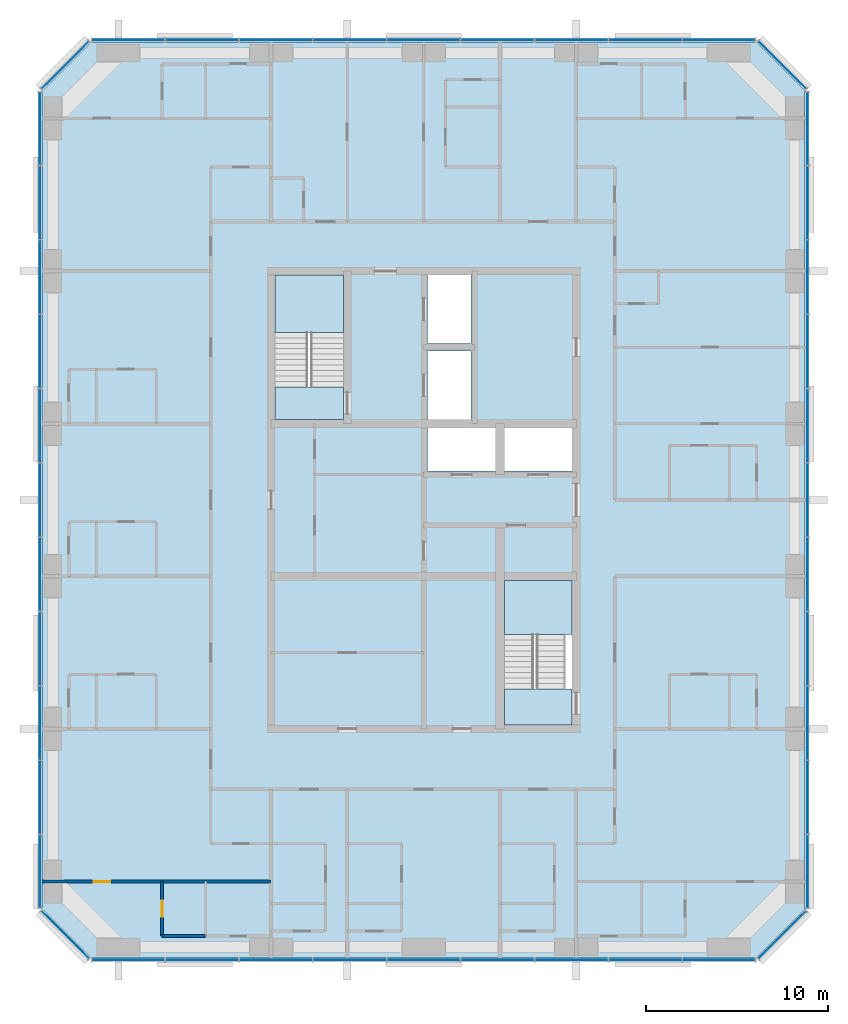
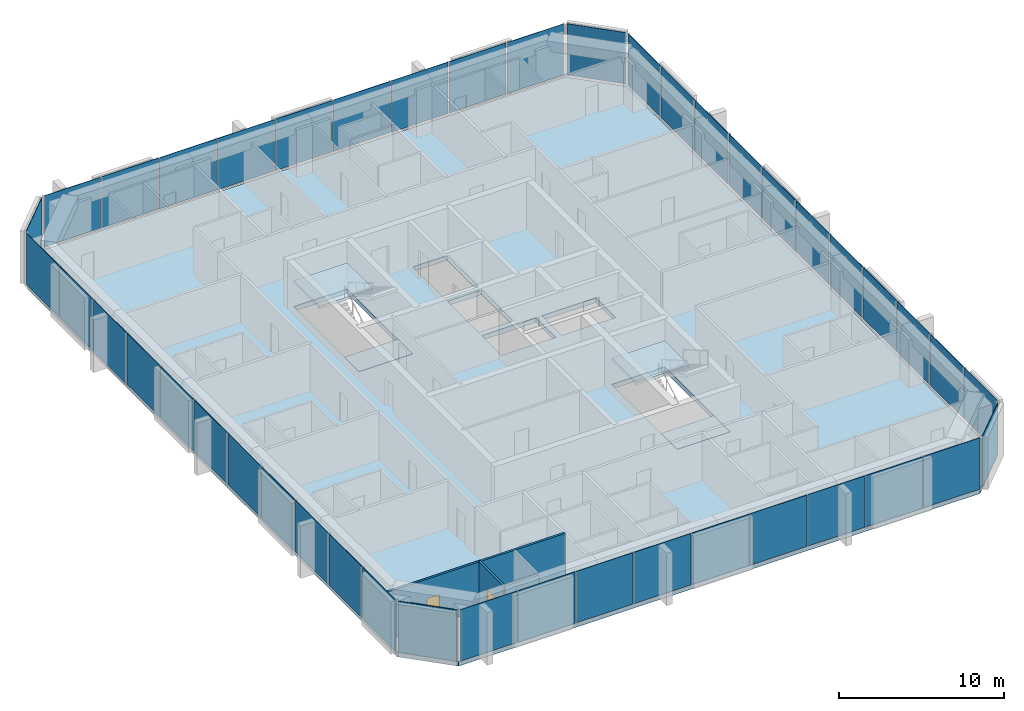
# One storey, part 6 of 12: 44 plates, 5 slabs, 3 walls, 2 doors, 2 openings, 10 elements without a shape of their own.
"""IFC4 building model written with IfcOpenShell, lengths in metres."""

from ifc_helpers import new_model, si_unit, direction, frame, frame_2d, origin, origin_2d, place, context, subcontext, project, spatial, polyline, rectangle, outline, extrude, material, layer, layer_set, type_object, element, fill, aggregate, save


model = new_model("IFC4")

# Units and contexts
model_context = context("Model", 3, precision=1e-05, world=origin(), true_north=direction((0.0, 1.0)))
body_context = subcontext(model_context, "Body", "Model", "MODEL_VIEW")
ifc_project = project(units=[si_unit("LENGTHUNIT", "METRE"), si_unit("AREAUNIT", "SQUARE_METRE"), si_unit("VOLUMEUNIT", "CUBIC_METRE"), si_unit("PLANEANGLEUNIT", "RADIAN"), si_unit("MASSUNIT", "GRAM", prefix="KILO")], contexts=[model_context])

# Site, building, storey
site_placement = place(None, origin())
site = spatial("IfcSite", under=ifc_project, at=site_placement, CompositionType="ELEMENT")
building_placement = place(site_placement, origin())
building = spatial("IfcBuilding", under=site, at=building_placement, Name="Dunama Terrace Hotel", CompositionType="ELEMENT")
storey_placement = place(building_placement, frame((0.0, 0.0, 241.199951171875)))
storey = spatial("IfcBuildingStorey", under=building, at=storey_placement, Name="L62", CompositionType="ELEMENT", Elevation=241.199951171875)

# Curtain wall, plates
ifc_material_1 = material(Name="Aluminium curtain wall system", Category="aluminium")
curtain_wall_type = type_object("IfcCurtainWallType", Name="Unitised fritted glass wall CW-D", PredefinedType="NOTDEFINED", material=ifc_material_1)
curtain_wall_1_placement = place(storey_placement, origin())
curtain_wall_1 = element("IfcCurtainWall", 1, at=curtain_wall_1_placement, inside=storey, type_object=curtain_wall_type, Name="Unitised fritted glass wall CW-D L62", PredefinedType="NOTDEFINED")
ifc_material_2 = material(Name="Laminated glass", Category="glass")
ifc_layer_1 = layer(ifc_material_2, 0.035888671875)
ifc_layer_set_1 = layer_set([ifc_layer_1], Name="CWD clear glass panel")
plate_type_1 = type_object("IfcPlateType", Name="CWD clear glass panel", PredefinedType="CURTAIN_PANEL", material=ifc_layer_set_1)
plate_1_placement = place(storey_placement, frame((25.467041015625, 4.080078125, 0.0849609375), z_axis=(0.0, 0.0, 1.0), x_axis=(1.0, 0.0, 0.0)))
plate_1 = element("IfcPlate", 2, at=plate_1_placement, type_object=plate_type_1, Name="CWD clear glass panel", PredefinedType="CURTAIN_PANEL", context=body_context, shape_type="SweptSolid", body=[
    extrude(rectangle(XDim=3.99658203125, YDim=0.035888671875, at=origin_2d()), origin(), (0.0, 0.0, 1.0), 3.81494140625),
])
plate_2_placement = place(storey_placement, frame((37.6669921875, 4.080078125, 0.0849609375), z_axis=(0.0, 0.0, 1.0), x_axis=(1.0, 0.0, 0.0)))
plate_2 = element("IfcPlate", 3, at=plate_2_placement, type_object=plate_type_1, Name="CWD clear glass panel", PredefinedType="CURTAIN_PANEL", context=body_context, shape_type="SweptSolid", body=[
    extrude(rectangle(XDim=3.99658203125, YDim=0.035888671875, at=origin_2d()), origin(), (0.0, 0.0, 1.0), 3.81494140625),
])
plate_3_placement = place(storey_placement, frame((49.84912109375, 4.080078125, 0.0849609375), z_axis=(0.0, 0.0, 1.0), x_axis=(1.0, 0.0, 0.0)))
plate_3 = element("IfcPlate", 4, at=plate_3_placement, type_object=plate_type_1, Name="CWD clear glass panel", PredefinedType="CURTAIN_PANEL", context=body_context, shape_type="SweptSolid", body=[
    extrude(rectangle(XDim=3.961669921875, YDim=0.035888671875, at=origin_2d()), origin(), (0.0, 0.0, 1.0), 3.81494140625),
])

curtain_wall_2_placement = place(storey_placement, origin())
curtain_wall_2 = element("IfcCurtainWall", 5, at=curtain_wall_2_placement, inside=storey, type_object=curtain_wall_type, Name="Unitised fritted glass wall CW-D L62", PredefinedType="NOTDEFINED")
plate_4_placement = place(storey_placement, frame((54.719970703125, 13.035888671875, 0.0849609375), z_axis=(0.0, 0.0, 1.0), x_axis=(0.0, 1.0, 0.0)))
plate_4 = element("IfcPlate", 6, at=plate_4_placement, type_object=plate_type_1, Name="CWD clear glass panel", PredefinedType="CURTAIN_PANEL", context=body_context, shape_type="SweptSolid", body=[
    extrude(rectangle(XDim=4.02099609375, YDim=0.035888671875, at=origin_2d()), origin(), (0.0, 0.0, 1.0), 3.81494140625),
])
plate_5_placement = place(storey_placement, frame((54.719970703125, 25.30908203125, 0.0849609375), z_axis=(0.0, 0.0, 1.0), x_axis=(0.0, 1.0, 0.0)))
plate_5 = element("IfcPlate", 7, at=plate_5_placement, type_object=plate_type_1, Name="CWD clear glass panel", PredefinedType="CURTAIN_PANEL", context=body_context, shape_type="SweptSolid", body=[
    extrude(rectangle(XDim=4.02099609375, YDim=0.035888671875, at=origin_2d()), origin(), (0.0, 0.0, 1.0), 3.81494140625),
])
plate_6_placement = place(storey_placement, frame((54.719970703125, 37.58203125, 0.0849609375), z_axis=(0.0, 0.0, 1.0), x_axis=(0.0, 1.0, 0.0)))
plate_6 = element("IfcPlate", 8, at=plate_6_placement, type_object=plate_type_1, Name="CWD clear glass panel", PredefinedType="CURTAIN_PANEL", context=body_context, shape_type="SweptSolid", body=[
    extrude(rectangle(XDim=4.02099609375, YDim=0.035888671875, at=origin_2d()), origin(), (0.0, 0.0, 1.0), 3.81494140625),
])
plate_7_placement = place(storey_placement, frame((54.719970703125, 49.8369140625, 0.0849609375), z_axis=(0.0, 0.0, 1.0), x_axis=(0.0, 1.0, 0.0)))
plate_7 = element("IfcPlate", 9, at=plate_7_placement, type_object=plate_type_1, Name="CWD clear glass panel", PredefinedType="CURTAIN_PANEL", context=body_context, shape_type="SweptSolid", body=[
    extrude(rectangle(XDim=3.98583984375, YDim=0.035888671875, at=origin_2d()), origin(), (0.0, 0.0, 1.0), 3.81494140625),
])

curtain_wall_3_placement = place(storey_placement, origin())
curtain_wall_3 = element("IfcCurtainWall", 10, at=curtain_wall_3_placement, inside=storey, type_object=curtain_wall_type, Name="Unitised fritted glass wall CW-D L62", PredefinedType="NOTDEFINED")
plate_8_placement = place(storey_placement, frame((45.800048828125, 54.719970703125, 0.0849609375), z_axis=(0.0, 0.0, 1.0), x_axis=(-1.0, 0.0, 0.0)))
plate_8 = element("IfcPlate", 11, at=plate_8_placement, type_object=plate_type_1, Name="CWD clear glass panel", PredefinedType="CURTAIN_PANEL", context=body_context, shape_type="SweptSolid", body=[
    extrude(rectangle(XDim=3.99658203125, YDim=0.035888671875, at=origin_2d()), origin(), (0.0, 0.0, 1.0), 3.81494140625),
])
plate_9_placement = place(storey_placement, frame((33.60009765625, 54.719970703125, 0.0849609375), z_axis=(0.0, 0.0, 1.0), x_axis=(-1.0, 0.0, 0.0)))
plate_9 = element("IfcPlate", 12, at=plate_9_placement, type_object=plate_type_1, Name="CWD clear glass panel", PredefinedType="CURTAIN_PANEL", context=body_context, shape_type="SweptSolid", body=[
    extrude(rectangle(XDim=3.99658203125, YDim=0.035888671875, at=origin_2d()), origin(), (0.0, 0.0, 1.0), 3.81494140625),
])
plate_10_placement = place(storey_placement, frame((21.39990234375, 54.719970703125, 0.0849609375), z_axis=(0.0, 0.0, 1.0), x_axis=(-1.0, 0.0, 0.0)))
plate_10 = element("IfcPlate", 13, at=plate_10_placement, type_object=plate_type_1, Name="CWD clear glass panel", PredefinedType="CURTAIN_PANEL", context=body_context, shape_type="SweptSolid", body=[
    extrude(rectangle(XDim=3.99658203125, YDim=0.035888671875, at=origin_2d()), origin(), (0.0, 0.0, 1.0), 3.81494140625),
])

curtain_wall_4_placement = place(storey_placement, origin())
curtain_wall_4 = element("IfcCurtainWall", 14, at=curtain_wall_4_placement, inside=storey, type_object=curtain_wall_type, Name="Unitised fritted glass wall CW-D L62", PredefinedType="NOTDEFINED")
plate_11_placement = place(storey_placement, frame((12.47998046875, 49.8369140625, 0.0849609375), z_axis=(0.0, 0.0, 1.0), x_axis=(0.0, -1.0, 0.0)))
plate_11 = element("IfcPlate", 15, at=plate_11_placement, type_object=plate_type_1, Name="CWD clear glass panel", PredefinedType="CURTAIN_PANEL", context=body_context, shape_type="SweptSolid", body=[
    extrude(rectangle(XDim=3.98583984375, YDim=0.035888671875, at=origin_2d()), origin(), (0.0, 0.0, 1.0), 3.81494140625),
])
plate_12_placement = place(storey_placement, frame((12.47998046875, 37.58203125, 0.0849609375), z_axis=(0.0, 0.0, 1.0), x_axis=(0.0, -1.0, 0.0)))
plate_12 = element("IfcPlate", 16, at=plate_12_placement, type_object=plate_type_1, Name="CWD clear glass panel", PredefinedType="CURTAIN_PANEL", context=body_context, shape_type="SweptSolid", body=[
    extrude(rectangle(XDim=4.02099609375, YDim=0.035888671875, at=origin_2d()), origin(), (0.0, 0.0, 1.0), 3.81494140625),
])
plate_13_placement = place(storey_placement, frame((12.47998046875, 25.30908203125, 0.0849609375), z_axis=(0.0, 0.0, 1.0), x_axis=(0.0, -1.0, 0.0)))
plate_13 = element("IfcPlate", 17, at=plate_13_placement, type_object=plate_type_1, Name="CWD clear glass panel", PredefinedType="CURTAIN_PANEL", context=body_context, shape_type="SweptSolid", body=[
    extrude(rectangle(XDim=4.02099609375, YDim=0.035888671875, at=origin_2d()), origin(), (0.0, 0.0, 1.0), 3.81494140625),
])
plate_14_placement = place(storey_placement, frame((12.47998046875, 13.035888671875, 0.0849609375), z_axis=(0.0, 0.0, 1.0), x_axis=(0.0, -1.0, 0.0)))
plate_14 = element("IfcPlate", 18, at=plate_14_placement, type_object=plate_type_1, Name="CWD clear glass panel", PredefinedType="CURTAIN_PANEL", context=body_context, shape_type="SweptSolid", body=[
    extrude(rectangle(XDim=4.02099609375, YDim=0.035888671875, at=origin_2d()), origin(), (0.0, 0.0, 1.0), 3.81494140625),
])

# Plate
ifc_material_3 = material(Name="Fritted laminated glass", Category="glass")
ifc_layer_2 = layer(ifc_material_3, 0.035888671875)
ifc_layer_set_2 = layer_set([ifc_layer_2], Name="CWD fritted glass panel")
plate_type_2 = type_object("IfcPlateType", Name="CWD fritted glass panel", PredefinedType="CURTAIN_PANEL", material=ifc_layer_set_2)
plate_15_placement = place(storey_placement, frame((21.39990234375, 4.080078125, 0.0849609375), z_axis=(0.0, 0.0, 1.0), x_axis=(1.0, 0.0, 0.0)))
plate_15 = element("IfcPlate", 19, at=plate_15_placement, type_object=plate_type_2, Name="CWD fritted glass panel", PredefinedType="CURTAIN_PANEL", context=body_context, shape_type="SweptSolid", body=[
    extrude(rectangle(XDim=3.99658203125, YDim=0.035888671875, at=origin_2d()), origin(), (0.0, 0.0, 1.0), 3.81494140625),
])

plate_16_placement = place(storey_placement, frame((33.60009765625, 4.080078125, 0.0849609375), z_axis=(0.0, 0.0, 1.0), x_axis=(1.0, 0.0, 0.0)))
plate_16 = element("IfcPlate", 20, at=plate_16_placement, type_object=plate_type_2, Name="CWD fritted glass panel", PredefinedType="CURTAIN_PANEL", context=body_context, shape_type="SweptSolid", body=[
    extrude(rectangle(XDim=3.99658203125, YDim=0.035888671875, at=origin_2d()), origin(), (0.0, 0.0, 1.0), 3.81494140625),
])

plate_17_placement = place(storey_placement, frame((45.800048828125, 4.080078125, 0.0849609375), z_axis=(0.0, 0.0, 1.0), x_axis=(1.0, 0.0, 0.0)))
plate_17 = element("IfcPlate", 21, at=plate_17_placement, type_object=plate_type_2, Name="CWD fritted glass panel", PredefinedType="CURTAIN_PANEL", context=body_context, shape_type="SweptSolid", body=[
    extrude(rectangle(XDim=3.99658203125, YDim=0.035888671875, at=origin_2d()), origin(), (0.0, 0.0, 1.0), 3.81494140625),
])

plate_18_placement = place(storey_placement, frame((54.719970703125, 8.962890625, 0.0849609375), z_axis=(0.0, 0.0, 1.0), x_axis=(0.0, 1.0, 0.0)))
plate_18 = element("IfcPlate", 22, at=plate_18_placement, type_object=plate_type_2, Name="CWD fritted glass panel", PredefinedType="CURTAIN_PANEL", context=body_context, shape_type="SweptSolid", body=[
    extrude(rectangle(XDim=3.98583984375, YDim=0.035888671875, at=origin_2d()), origin(), (0.0, 0.0, 1.0), 3.81494140625),
])

plate_19_placement = place(storey_placement, frame((54.719970703125, 21.218017578125, 0.0849609375), z_axis=(0.0, 0.0, 1.0), x_axis=(0.0, 1.0, 0.0)))
plate_19 = element("IfcPlate", 23, at=plate_19_placement, type_object=plate_type_2, Name="CWD fritted glass panel", PredefinedType="CURTAIN_PANEL", context=body_context, shape_type="SweptSolid", body=[
    extrude(rectangle(XDim=4.02099609375, YDim=0.035888671875, at=origin_2d()), origin(), (0.0, 0.0, 1.0), 3.81494140625),
])

plate_20_placement = place(storey_placement, frame((54.719970703125, 33.490966796875, 0.0849609375), z_axis=(0.0, 0.0, 1.0), x_axis=(0.0, 1.0, 0.0)))
plate_20 = element("IfcPlate", 24, at=plate_20_placement, type_object=plate_type_2, Name="CWD fritted glass panel", PredefinedType="CURTAIN_PANEL", context=body_context, shape_type="SweptSolid", body=[
    extrude(rectangle(XDim=4.02099609375, YDim=0.035888671875, at=origin_2d()), origin(), (0.0, 0.0, 1.0), 3.81494140625),
])

plate_21_placement = place(storey_placement, frame((54.719970703125, 45.763916015625, 0.0849609375), z_axis=(0.0, 0.0, 1.0), x_axis=(0.0, 1.0, 0.0)))
plate_21 = element("IfcPlate", 25, at=plate_21_placement, type_object=plate_type_2, Name="CWD fritted glass panel", PredefinedType="CURTAIN_PANEL", context=body_context, shape_type="SweptSolid", body=[
    extrude(rectangle(XDim=4.02099609375, YDim=0.035888671875, at=origin_2d()), origin(), (0.0, 0.0, 1.0), 3.81494140625),
])

plate_22_placement = place(storey_placement, frame((49.84912109375, 54.719970703125, 0.0849609375), z_axis=(0.0, 0.0, 1.0), x_axis=(-1.0, 0.0, 0.0)))
plate_22 = element("IfcPlate", 26, at=plate_22_placement, type_object=plate_type_2, Name="CWD fritted glass panel", PredefinedType="CURTAIN_PANEL", context=body_context, shape_type="SweptSolid", body=[
    extrude(rectangle(XDim=3.961669921875, YDim=0.035888671875, at=origin_2d()), origin(), (0.0, 0.0, 1.0), 3.81494140625),
])

plate_23_placement = place(storey_placement, frame((37.6669921875, 54.719970703125, 0.0849609375), z_axis=(0.0, 0.0, 1.0), x_axis=(-1.0, 0.0, 0.0)))
plate_23 = element("IfcPlate", 27, at=plate_23_placement, type_object=plate_type_2, Name="CWD fritted glass panel", PredefinedType="CURTAIN_PANEL", context=body_context, shape_type="SweptSolid", body=[
    extrude(rectangle(XDim=3.99658203125, YDim=0.035888671875, at=origin_2d()), origin(), (0.0, 0.0, 1.0), 3.81494140625),
])

plate_24_placement = place(storey_placement, frame((25.467041015625, 54.719970703125, 0.0849609375), z_axis=(0.0, 0.0, 1.0), x_axis=(-1.0, 0.0, 0.0)))
plate_24 = element("IfcPlate", 28, at=plate_24_placement, type_object=plate_type_2, Name="CWD fritted glass panel", PredefinedType="CURTAIN_PANEL", context=body_context, shape_type="SweptSolid", body=[
    extrude(rectangle(XDim=3.99658203125, YDim=0.035888671875, at=origin_2d()), origin(), (0.0, 0.0, 1.0), 3.81494140625),
])

# Curtain wall, plate
curtain_wall_5_placement = place(storey_placement, origin())
curtain_wall_5 = element("IfcCurtainWall", 29, at=curtain_wall_5_placement, inside=storey, type_object=curtain_wall_type, Name="Unitised fritted glass wall CW-D L62", PredefinedType="NOTDEFINED")
plate_25_placement = place(storey_placement, frame((13.864990234375, 53.3349609375, 0.0849609375), z_axis=(0.0, 0.0, 1.0), x_axis=(-0.707106781187, -0.707106781187, 0.0)))
plate_25 = element("IfcPlate", 30, at=plate_25_placement, type_object=plate_type_2, Name="CWD fritted glass panel", PredefinedType="CURTAIN_PANEL", context=body_context, shape_type="SweptSolid", body=[
    extrude(rectangle(XDim=3.678466796875, YDim=0.035888671875, at=origin_2d()), origin(), (0.0, 0.0, 1.0), 3.81494140625),
])
aggregate(curtain_wall_5, [plate_25])

# Plate
plate_26_placement = place(storey_placement, frame((12.47998046875, 41.673095703125, 0.0849609375), z_axis=(0.0, 0.0, 1.0), x_axis=(0.0, -1.0, 0.0)))
plate_26 = element("IfcPlate", 31, at=plate_26_placement, type_object=plate_type_2, Name="CWD fritted glass panel", PredefinedType="CURTAIN_PANEL", context=body_context, shape_type="SweptSolid", body=[
    extrude(rectangle(XDim=4.02099609375, YDim=0.035888671875, at=origin_2d()), origin(), (0.0, 0.0, 1.0), 3.81494140625),
])

plate_27_placement = place(storey_placement, frame((12.47998046875, 29.39990234375, 0.0849609375), z_axis=(0.0, 0.0, 1.0), x_axis=(0.0, -1.0, 0.0)))
plate_27 = element("IfcPlate", 32, at=plate_27_placement, type_object=plate_type_2, Name="CWD fritted glass panel", PredefinedType="CURTAIN_PANEL", context=body_context, shape_type="SweptSolid", body=[
    extrude(rectangle(XDim=4.02099609375, YDim=0.035888671875, at=origin_2d()), origin(), (0.0, 0.0, 1.0), 3.81494140625),
])

plate_28_placement = place(storey_placement, frame((12.47998046875, 17.126953125, 0.0849609375), z_axis=(0.0, 0.0, 1.0), x_axis=(0.0, -1.0, 0.0)))
plate_28 = element("IfcPlate", 33, at=plate_28_placement, type_object=plate_type_2, Name="CWD fritted glass panel", PredefinedType="CURTAIN_PANEL", context=body_context, shape_type="SweptSolid", body=[
    extrude(rectangle(XDim=4.02099609375, YDim=0.035888671875, at=origin_2d()), origin(), (0.0, 0.0, 1.0), 3.81494140625),
])

# Curtain wall, plate
curtain_wall_6_placement = place(storey_placement, origin())
curtain_wall_6 = element("IfcCurtainWall", 34, at=curtain_wall_6_placement, inside=storey, type_object=curtain_wall_type, Name="Unitised fritted glass wall CW-D L62", PredefinedType="NOTDEFINED")
plate_29_placement = place(storey_placement, frame((13.864990234375, 5.465087890625, 0.0849609375), z_axis=(0.0, 0.0, 1.0), x_axis=(0.707106781187, -0.707106781187, 0.0)))
plate_29 = element("IfcPlate", 35, at=plate_29_placement, type_object=plate_type_2, Name="CWD fritted glass panel", PredefinedType="CURTAIN_PANEL", context=body_context, shape_type="SweptSolid", body=[
    extrude(rectangle(XDim=3.678466796875, YDim=0.035888671875, at=origin_2d()), origin(), (0.0, 0.0, 1.0), 3.81494140625),
])
aggregate(curtain_wall_6, [plate_29])

# Plate
ifc_material_4 = material(Name="Laminated glass", Category="glass")
ifc_layer_3 = layer(ifc_material_4, 0.035888671875)
ifc_layer_set_3 = layer_set([ifc_layer_3], Name="CWD operable glass panel")
plate_type_3 = type_object("IfcPlateType", Name="CWD operable glass panel", PredefinedType="CURTAIN_PANEL", material=ifc_layer_set_3)
plate_30_placement = place(storey_placement, frame((17.35107421875, 4.080078125, 0.0849609375), z_axis=(0.0, 0.0, 1.0), x_axis=(1.0, 0.0, 0.0)))
plate_30 = element("IfcPlate", 36, at=plate_30_placement, type_object=plate_type_3, Name="CWD operable glass panel", PredefinedType="CURTAIN_PANEL", context=body_context, shape_type="SweptSolid", body=[
    extrude(rectangle(XDim=3.961669921875, YDim=0.035888671875, at=origin_2d()), origin(), (0.0, 0.0, 1.0), 3.81494140625),
])

plate_31_placement = place(storey_placement, frame((29.532958984375, 4.080078125, 0.0849609375), z_axis=(0.0, 0.0, 1.0), x_axis=(1.0, 0.0, 0.0)))
plate_31 = element("IfcPlate", 37, at=plate_31_placement, type_object=plate_type_3, Name="CWD operable glass panel", PredefinedType="CURTAIN_PANEL", context=body_context, shape_type="SweptSolid", body=[
    extrude(rectangle(XDim=3.99658203125, YDim=0.035888671875, at=origin_2d()), origin(), (0.0, 0.0, 1.0), 3.81494140625),
])

plate_32_placement = place(storey_placement, frame((41.73291015625, 4.080078125, 0.0849609375), z_axis=(0.0, 0.0, 1.0), x_axis=(1.0, 0.0, 0.0)))
plate_32 = element("IfcPlate", 38, at=plate_32_placement, type_object=plate_type_3, Name="CWD operable glass panel", PredefinedType="CURTAIN_PANEL", context=body_context, shape_type="SweptSolid", body=[
    extrude(rectangle(XDim=3.99658203125, YDim=0.035888671875, at=origin_2d()), origin(), (0.0, 0.0, 1.0), 3.81494140625),
])

aggregate(curtain_wall_1, [plate_30, plate_15, plate_1, plate_31, plate_16, plate_2, plate_32, plate_17, plate_3])

# Curtain wall, plate
curtain_wall_7_placement = place(storey_placement, origin())
curtain_wall_7 = element("IfcCurtainWall", 39, at=curtain_wall_7_placement, inside=storey, type_object=curtain_wall_type, Name="Unitised fritted glass wall CW-D L62", PredefinedType="NOTDEFINED")
plate_33_placement = place(storey_placement, frame((53.3349609375, 5.465087890625, 0.0849609375), z_axis=(0.0, 0.0, 1.0), x_axis=(0.707106781187, 0.707106781187, 0.0)))
plate_33 = element("IfcPlate", 40, at=plate_33_placement, type_object=plate_type_3, Name="CWD operable glass panel", PredefinedType="CURTAIN_PANEL", context=body_context, shape_type="SweptSolid", body=[
    extrude(rectangle(XDim=3.678466796875, YDim=0.035888671875, at=origin_2d()), origin(), (0.0, 0.0, 1.0), 3.81494140625),
])
aggregate(curtain_wall_7, [plate_33])

# Plate
plate_34_placement = place(storey_placement, frame((54.719970703125, 17.126953125, 0.0849609375), z_axis=(0.0, 0.0, 1.0), x_axis=(0.0, 1.0, 0.0)))
plate_34 = element("IfcPlate", 41, at=plate_34_placement, type_object=plate_type_3, Name="CWD operable glass panel", PredefinedType="CURTAIN_PANEL", context=body_context, shape_type="SweptSolid", body=[
    extrude(rectangle(XDim=4.02099609375, YDim=0.035888671875, at=origin_2d()), origin(), (0.0, 0.0, 1.0), 3.81494140625),
])

plate_35_placement = place(storey_placement, frame((54.719970703125, 29.39990234375, 0.0849609375), z_axis=(0.0, 0.0, 1.0), x_axis=(0.0, 1.0, 0.0)))
plate_35 = element("IfcPlate", 42, at=plate_35_placement, type_object=plate_type_3, Name="CWD operable glass panel", PredefinedType="CURTAIN_PANEL", context=body_context, shape_type="SweptSolid", body=[
    extrude(rectangle(XDim=4.02099609375, YDim=0.035888671875, at=origin_2d()), origin(), (0.0, 0.0, 1.0), 3.81494140625),
])

plate_36_placement = place(storey_placement, frame((54.719970703125, 41.673095703125, 0.0849609375), z_axis=(0.0, 0.0, 1.0), x_axis=(0.0, 1.0, 0.0)))
plate_36 = element("IfcPlate", 43, at=plate_36_placement, type_object=plate_type_3, Name="CWD operable glass panel", PredefinedType="CURTAIN_PANEL", context=body_context, shape_type="SweptSolid", body=[
    extrude(rectangle(XDim=4.02099609375, YDim=0.035888671875, at=origin_2d()), origin(), (0.0, 0.0, 1.0), 3.81494140625),
])

aggregate(curtain_wall_2, [plate_18, plate_4, plate_34, plate_19, plate_5, plate_35, plate_20, plate_6, plate_36, plate_21, plate_7])

# Curtain wall, plate
curtain_wall_8_placement = place(storey_placement, origin())
curtain_wall_8 = element("IfcCurtainWall", 44, at=curtain_wall_8_placement, inside=storey, type_object=curtain_wall_type, Name="Unitised fritted glass wall CW-D L62", PredefinedType="NOTDEFINED")
plate_37_placement = place(storey_placement, frame((53.3349609375, 53.3349609375, 0.0849609375), z_axis=(0.0, 0.0, 1.0), x_axis=(-0.707106781187, 0.707106781187, 0.0)))
plate_37 = element("IfcPlate", 45, at=plate_37_placement, type_object=plate_type_3, Name="CWD operable glass panel", PredefinedType="CURTAIN_PANEL", context=body_context, shape_type="SweptSolid", body=[
    extrude(rectangle(XDim=3.678466796875, YDim=0.035888671875, at=origin_2d()), origin(), (0.0, 0.0, 1.0), 3.81494140625),
])
aggregate(curtain_wall_8, [plate_37])

# Plate
plate_38_placement = place(storey_placement, frame((41.73291015625, 54.719970703125, 0.0849609375), z_axis=(0.0, 0.0, 1.0), x_axis=(-1.0, 0.0, 0.0)))
plate_38 = element("IfcPlate", 46, at=plate_38_placement, type_object=plate_type_3, Name="CWD operable glass panel", PredefinedType="CURTAIN_PANEL", context=body_context, shape_type="SweptSolid", body=[
    extrude(rectangle(XDim=3.99658203125, YDim=0.035888671875, at=origin_2d()), origin(), (0.0, 0.0, 1.0), 3.81494140625),
])

plate_39_placement = place(storey_placement, frame((29.532958984375, 54.719970703125, 0.0849609375), z_axis=(0.0, 0.0, 1.0), x_axis=(-1.0, 0.0, 0.0)))
plate_39 = element("IfcPlate", 47, at=plate_39_placement, type_object=plate_type_3, Name="CWD operable glass panel", PredefinedType="CURTAIN_PANEL", context=body_context, shape_type="SweptSolid", body=[
    extrude(rectangle(XDim=3.99658203125, YDim=0.035888671875, at=origin_2d()), origin(), (0.0, 0.0, 1.0), 3.81494140625),
])

plate_40_placement = place(storey_placement, frame((17.35107421875, 54.719970703125, 0.0849609375), z_axis=(0.0, 0.0, 1.0), x_axis=(-1.0, 0.0, 0.0)))
plate_40 = element("IfcPlate", 48, at=plate_40_placement, type_object=plate_type_3, Name="CWD operable glass panel", PredefinedType="CURTAIN_PANEL", context=body_context, shape_type="SweptSolid", body=[
    extrude(rectangle(XDim=3.961669921875, YDim=0.035888671875, at=origin_2d()), origin(), (0.0, 0.0, 1.0), 3.81494140625),
])

aggregate(curtain_wall_3, [plate_22, plate_8, plate_38, plate_23, plate_9, plate_39, plate_24, plate_10, plate_40])

plate_41_placement = place(storey_placement, frame((12.47998046875, 45.763916015625, 0.0849609375), z_axis=(0.0, 0.0, 1.0), x_axis=(0.0, -1.0, 0.0)))
plate_41 = element("IfcPlate", 49, at=plate_41_placement, type_object=plate_type_3, Name="CWD operable glass panel", PredefinedType="CURTAIN_PANEL", context=body_context, shape_type="SweptSolid", body=[
    extrude(rectangle(XDim=4.02099609375, YDim=0.035888671875, at=origin_2d()), origin(), (0.0, 0.0, 1.0), 3.81494140625),
])

plate_42_placement = place(storey_placement, frame((12.47998046875, 33.490966796875, 0.0849609375), z_axis=(0.0, 0.0, 1.0), x_axis=(0.0, -1.0, 0.0)))
plate_42 = element("IfcPlate", 50, at=plate_42_placement, type_object=plate_type_3, Name="CWD operable glass panel", PredefinedType="CURTAIN_PANEL", context=body_context, shape_type="SweptSolid", body=[
    extrude(rectangle(XDim=4.02099609375, YDim=0.035888671875, at=origin_2d()), origin(), (0.0, 0.0, 1.0), 3.81494140625),
])

plate_43_placement = place(storey_placement, frame((12.47998046875, 21.218017578125, 0.0849609375), z_axis=(0.0, 0.0, 1.0), x_axis=(0.0, -1.0, 0.0)))
plate_43 = element("IfcPlate", 51, at=plate_43_placement, type_object=plate_type_3, Name="CWD operable glass panel", PredefinedType="CURTAIN_PANEL", context=body_context, shape_type="SweptSolid", body=[
    extrude(rectangle(XDim=4.02099609375, YDim=0.035888671875, at=origin_2d()), origin(), (0.0, 0.0, 1.0), 3.81494140625),
])

plate_44_placement = place(storey_placement, frame((12.47998046875, 8.962890625, 0.0849609375), z_axis=(0.0, 0.0, 1.0), x_axis=(0.0, -1.0, 0.0)))
plate_44 = element("IfcPlate", 52, at=plate_44_placement, type_object=plate_type_3, Name="CWD operable glass panel", PredefinedType="CURTAIN_PANEL", context=body_context, shape_type="SweptSolid", body=[
    extrude(rectangle(XDim=3.98583984375, YDim=0.035888671875, at=origin_2d()), origin(), (0.0, 0.0, 1.0), 3.81494140625),
])

aggregate(curtain_wall_4, [plate_11, plate_41, plate_26, plate_12, plate_42, plate_27, plate_13, plate_43, plate_28, plate_14, plate_44])

# Slab
ifc_material_5 = material(Name="Concrete C40/50", Category="concrete")
ifc_layer_4 = layer(ifc_material_5, 0.35009765625)
ifc_layer_set_4 = layer_set([ifc_layer_4], Name="Flat plate 350")
slab_type_1 = type_object("IfcSlabType", Name="Flat plate 350", PredefinedType="FLOOR", material=ifc_layer_set_4)
slab_1_placement = place(storey_placement, frame((0.0, 0.0, -0.349853515625)))
element("IfcSlab", 53, at=slab_1_placement, inside=storey, type_object=slab_type_1, Name="Floor slab L62", PredefinedType="FLOOR", context=body_context, shape_type="SweptSolid", body=[
    extrude(outline(polyline([(15.300048828125, 4.199951171875), (51.89990234375, 4.199951171875), (54.60009765625, 6.89990234375), (54.60009765625, 51.89990234375), (51.89990234375, 54.60009765625), (15.300048828125, 54.60009765625), (12.60009765625, 51.89990234375), (12.60009765625, 6.89990234375), (15.300048828125, 4.199951171875)]), holes=[polyline([(37.60009765625, 31.0), (37.60009765625, 33.39990234375), (33.800048828125, 33.39990234375), (33.800048828125, 31.0), (37.60009765625, 31.0)]), polyline([(41.800048828125, 31.0), (41.800048828125, 33.39990234375), (38.0, 33.39990234375), (38.0, 31.0), (41.800048828125, 31.0)]), polyline([(36.199951171875, 38.0), (36.199951171875, 41.800048828125), (33.800048828125, 41.800048828125), (33.800048828125, 38.0), (36.199951171875, 38.0)]), polyline([(36.199951171875, 33.800048828125), (36.199951171875, 37.60009765625), (33.800048828125, 37.60009765625), (33.800048828125, 33.800048828125), (36.199951171875, 33.800048828125)]), polyline([(29.175048828125, 33.824951171875), (29.175048828125, 41.77490234375), (25.425048828125, 41.77490234375), (25.425048828125, 33.824951171875), (29.175048828125, 33.824951171875)]), polyline([(41.77490234375, 17.02490234375), (41.77490234375, 24.97509765625), (38.050048828125, 24.97509765625), (38.050048828125, 17.02490234375), (41.77490234375, 17.02490234375)])]), origin(), (0.0, 0.0, 1.0), 0.349853515625),
])

# Stair, slabs
ifc_material_6 = material(Name="Concrete C40/50", Category="concrete")
stair_type_1 = type_object("IfcStairType", Name="Stair ST1-3900-1800", PredefinedType="HALF_TURN_STAIR", material=ifc_material_6)
stair_1_placement = place(storey_placement, origin())
stair_1 = element("IfcStair", 54, at=stair_1_placement, inside=storey, type_object=stair_type_1, Name="Stair ST1 L62", PredefinedType="HALF_TURN_STAIR")
ifc_material_7 = material(Name="Concrete C40/50", Category="concrete")
ifc_layer_5 = layer(ifc_material_7, 0.199951171875)
ifc_layer_set_5 = layer_set([ifc_layer_5], Name="Stair landing 200")
slab_type_2 = type_object("IfcSlabType", Name="Stair landing 200", PredefinedType="LANDING", material=ifc_layer_set_5)
slab_2_placement = place(storey_placement, frame((0.0, 0.0, -0.199951171875)))
slab_2 = element("IfcSlab", 55, at=slab_2_placement, type_object=slab_type_2, Name="ST1 landing 1, type S10", PredefinedType="LANDING", context=body_context, shape_type="SweptSolid", body=[
    extrude(outline(polyline([(25.425048828125, 33.824951171875), (29.175048828125, 33.824951171875), (29.175048828125, 35.625), (25.425048828125, 35.625), (25.425048828125, 33.824951171875)])), origin(), (0.0, 0.0, 1.0), 0.199951171875),
])
slab_3_placement = place(storey_placement, frame((0.0, 0.0, 1.75)))
slab_3 = element("IfcSlab", 56, at=slab_3_placement, type_object=slab_type_2, Name="ST1 landing 2, type S10", PredefinedType="LANDING", context=body_context, shape_type="SweptSolid", body=[
    extrude(outline(polyline([(25.425048828125, 38.625), (29.175048828125, 38.625), (29.175048828125, 41.77490234375), (25.425048828125, 41.77490234375), (25.425048828125, 38.625)])), origin(), (0.0, 0.0, 1.0), 0.199951171875),
])
aggregate(stair_1, [slab_2, slab_3])

ifc_material_8 = material(Name="Concrete C40/50", Category="concrete")
stair_type_2 = type_object("IfcStairType", Name="Stair ST2-3900-1600", PredefinedType="HALF_TURN_STAIR", material=ifc_material_8)
stair_2_placement = place(storey_placement, origin())
stair_2 = element("IfcStair", 57, at=stair_2_placement, inside=storey, type_object=stair_type_2, Name="Stair ST2 L62", PredefinedType="HALF_TURN_STAIR")
slab_4_placement = place(storey_placement, frame((0.0, 0.0, -0.199951171875)))
slab_4 = element("IfcSlab", 58, at=slab_4_placement, type_object=slab_type_2, Name="ST2 landing 1, type S10", PredefinedType="LANDING", context=body_context, shape_type="SweptSolid", body=[
    extrude(outline(polyline([(38.050048828125, 17.02490234375), (41.77490234375, 17.02490234375), (41.77490234375, 19.0), (38.050048828125, 19.0), (38.050048828125, 17.02490234375)])), origin(), (0.0, 0.0, 1.0), 0.199951171875),
])
slab_5_placement = place(storey_placement, frame((0.0, 0.0, 1.75)))
slab_5 = element("IfcSlab", 59, at=slab_5_placement, type_object=slab_type_2, Name="ST2 landing 2, type S10", PredefinedType="LANDING", context=body_context, shape_type="SweptSolid", body=[
    extrude(outline(polyline([(38.050048828125, 22.0), (41.77490234375, 22.0), (41.77490234375, 24.97509765625), (38.050048828125, 24.97509765625), (38.050048828125, 22.0)])), origin(), (0.0, 0.0, 1.0), 0.199951171875),
])
aggregate(stair_2, [slab_4, slab_5])

# Wall, opening, door
ifc_material_9 = material(Name="Gypsum board partition", Category="masonry")
ifc_layer_6 = layer(ifc_material_9, 0.14990234375)
ifc_layer_set_6 = layer_set([ifc_layer_6], Name="Room partition 150")
wall_type = type_object("IfcWallType", Name="Room partition 150", PredefinedType="PARTITIONING", material=ifc_layer_set_6)
wall_1_placement = place(storey_placement, frame((19.199951171875, 5.39990234375, 0.0), z_axis=(0.0, 0.0, 1.0), x_axis=(0.0, 1.0, 0.0)))
wall_1 = element("IfcWall", 60, at=wall_1_placement, inside=storey, type_object=wall_type, Name="Room partition 150 L62", PredefinedType="PARTITIONING", context=body_context, shape_type="SweptSolid", body=[
    extrude(rectangle(XDim=3.0, YDim=0.14990234375, at=frame_2d((1.5, 0.0))), origin(), (0.0, 0.0, 1.0), 3.550048828125),
])
opening_1_placement = place(wall_1_placement, frame((1.050048828125, 0.0, 0.0)))
opening_1 = element("IfcOpeningElement", 61, at=opening_1_placement, cuts=wall_1, Name="Opening L62-64-045", PredefinedType="OPENING", context=body_context, shape_type="SweptSolid", body=[
    extrude(rectangle(XDim=0.89990234375, YDim=2.10009765625, at=frame_2d((0.449951171875, 1.050048828125))), frame((0.0, 0.0849609375, 0.0), z_axis=(0.0, -1.0, 0.0), x_axis=(1.0, 0.0, 0.0)), (0.0, 0.0, 1.0), 0.169921875),
])
ifc_material_10 = material(Name="Timber door with steel frame", Category="steel")
door_type = type_object("IfcDoorType", Name="Suite internal door 900", OperationType="SINGLE_SWING_LEFT", PredefinedType="DOOR", material=ifc_material_10)
door_1_placement = place(opening_1_placement, frame((0.89990234375, 0.0, 0.0), z_axis=(0.0, 0.0, 1.0), x_axis=(-1.0, 0.0, 0.0)))
door_1 = element("IfcDoor", 62, at=door_1_placement, inside=storey, type_object=door_type, Name="Door to dressing room L62-64-045, type D16", OperationType="SINGLE_SWING_RIGHT", OverallHeight=2.10009765625, OverallWidth=0.89990234375, PredefinedType="DOOR", context=body_context, shape_type="SweptSolid", body=[
    extrude(rectangle(XDim=0.89990234375, YDim=2.10009765625, at=frame_2d((0.449951171875, 1.050048828125))), frame((0.0, 0.025146484375, 0.0), z_axis=(0.0, -1.0, 0.0), x_axis=(1.0, 0.0, 0.0)), (0.0, 0.0, 1.0), 0.050048828125),
])
fill(opening_1, door_1)

# Wall
wall_2_placement = place(storey_placement, frame((19.199951171875, 5.39990234375, 0.0), z_axis=(0.0, 0.0, 1.0), x_axis=(1.0, 0.0, 0.0)))
element("IfcWall", 63, at=wall_2_placement, inside=storey, type_object=wall_type, Name="Room partition 150 L62", PredefinedType="PARTITIONING", context=body_context, shape_type="SweptSolid", body=[
    extrude(rectangle(XDim=2.400146484375, YDim=0.14990234375, at=frame_2d((1.2001953125, 0.0))), origin(), (0.0, 0.0, 1.0), 3.550048828125),
])

# Wall, opening, door
wall_3_placement = place(storey_placement, frame((12.58203125, 8.39990234375, 0.0), z_axis=(0.0, 0.0, 1.0), x_axis=(1.0, 0.0, 0.0)))
wall_3 = element("IfcWall", 64, at=wall_3_placement, inside=storey, type_object=wall_type, Name="Room partition 150 L62", PredefinedType="PARTITIONING", context=body_context, shape_type="SweptSolid", body=[
    extrude(rectangle(XDim=12.617919921875, YDim=0.14990234375, at=frame_2d((6.30908203125, 0.0))), origin(), (0.0, 0.0, 1.0), 3.550048828125),
])
opening_2_placement = place(wall_3_placement, frame((2.867919921875, 0.0, 0.0)))
opening_2 = element("IfcOpeningElement", 65, at=opening_2_placement, cuts=wall_3, Name="Opening L62-64-043", PredefinedType="OPENING", context=body_context, shape_type="SweptSolid", body=[
    extrude(rectangle(XDim=0.89990234375, YDim=2.10009765625, at=frame_2d((0.449951171875, 1.050048828125))), frame((0.0, 0.0849609375, 0.0), z_axis=(0.0, -1.0, 0.0), x_axis=(1.0, 0.0, 0.0)), (0.0, 0.0, 1.0), 0.169921875),
])
door_2_placement = place(opening_2_placement, frame((0.89990234375, 0.0, 0.0), z_axis=(0.0, 0.0, 1.0), x_axis=(-1.0, 0.0, 0.0)))
door_2 = element("IfcDoor", 66, at=door_2_placement, inside=storey, type_object=door_type, Name="Door to grand corner suite bedroom L62-64-043, type D16", OperationType="SINGLE_SWING_RIGHT", OverallHeight=2.10009765625, OverallWidth=0.89990234375, PredefinedType="DOOR", context=body_context, shape_type="SweptSolid", body=[
    extrude(rectangle(XDim=0.89990234375, YDim=2.10009765625, at=frame_2d((0.449951171875, 1.050048828125))), frame((0.0, 0.025146484375, 0.0), z_axis=(0.0, -1.0, 0.0), x_axis=(1.0, 0.0, 0.0)), (0.0, 0.0, 1.0), 0.050048828125),
])
fill(opening_2, door_2)

save(model, "model.ifc")
